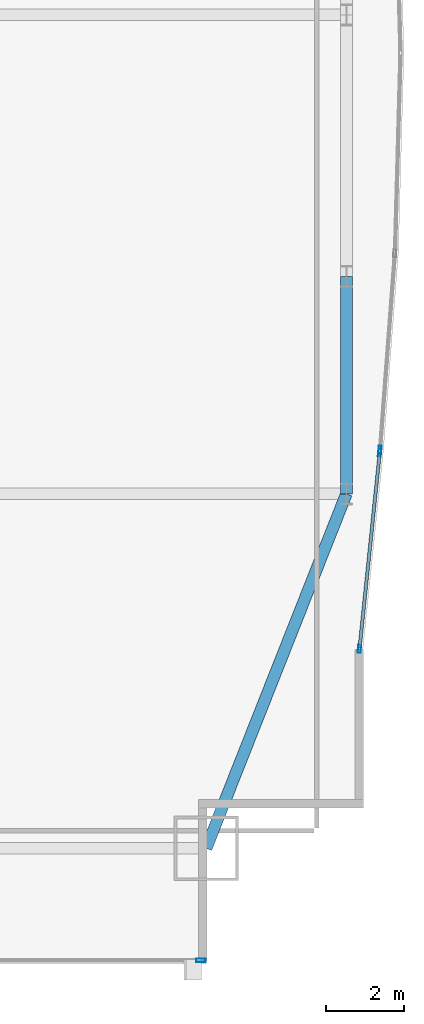
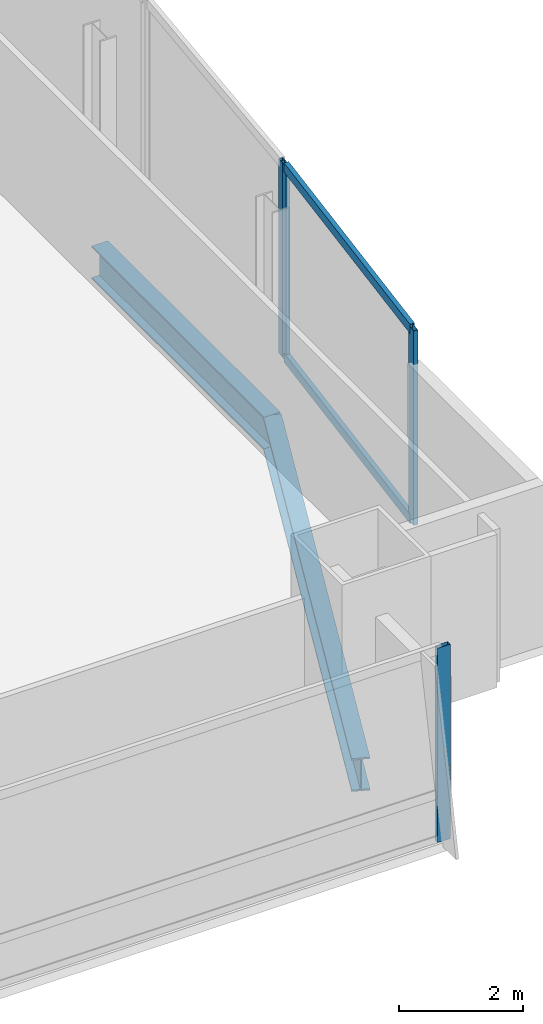
# One storey, part 21 of 32: 6 members, 2 beams, 3 elements without a shape of their own.
"""IFC4 building model written with IfcOpenShell, lengths in metres."""

from ifc_helpers import new_model, si_unit, direction, frame, origin, origin_2d, place, context, subcontext, project, spatial, hollow_rectangle, i_section, extrude, material, material_profile, profile_set, type_object, element, aggregate, save


model = new_model("IFC4")

# Units and contexts
model_context = context("Model", 3, precision=1e-05, world=origin(), true_north=direction((0.0, 1.0)))
body_context = subcontext(model_context, "Body", "Model", "MODEL_VIEW")
ifc_project = project(units=[si_unit("LENGTHUNIT", "METRE"), si_unit("AREAUNIT", "SQUARE_METRE"), si_unit("VOLUMEUNIT", "CUBIC_METRE"), si_unit("PLANEANGLEUNIT", "RADIAN"), si_unit("MASSUNIT", "GRAM", prefix="KILO")], contexts=[model_context])

# Site, building, storey
site_placement = place(None, origin())
site = spatial("IfcSite", under=ifc_project, at=site_placement, CompositionType="ELEMENT")
building_placement = place(site_placement, origin())
building = spatial("IfcBuilding", under=site, at=building_placement, Name="Khoronbel Lancet Exchange", CompositionType="ELEMENT")
storey_placement = place(building_placement, frame((0.0, 0.0, 29.800048828125)))
storey = spatial("IfcBuildingStorey", under=building, at=storey_placement, Name="L06", CompositionType="ELEMENT", Elevation=29.800048828125)

# Beams
ifc_material_1 = material(Name="Steel S355", Category="steel")
ifc_material_profile_1 = material_profile(ifc_material_1, i_section(OverallWidth=0.300048828125, OverallDepth=0.64990234375, WebThickness=0.01611328125, FlangeThickness=0.031005859375, at=origin_2d()), Name="HEB 650")
ifc_profile_set_1 = profile_set([ifc_material_profile_1], Name="Steel S355")
beam_type = type_object("IfcBeamType", Name="BM-BSP1", PredefinedType="SPANDREL", material=ifc_profile_set_1)
beam_1_placement = place(storey_placement, frame((68.050048828125, 10.14990234375, -0.505126953125), z_axis=(0.367828403855, 0.929893684954, 0.0), x_axis=(-0.929893684954, 0.367828403855, 0.0)))
element("IfcBeam", 1, at=beam_1_placement, inside=storey, type_object=beam_type, Name="Level L06 perimeter spandrel beam SP10", PredefinedType="SPANDREL", context=body_context, shape_type="SweptSolid", body=[
    extrude(i_section(OverallWidth=0.300048828125, OverallDepth=0.64990234375, WebThickness=0.01611328125, FlangeThickness=0.031005859375, at=origin_2d()), origin(), (0.0, 0.0, 1.0), 9.732421875),
])
beam_2_placement = place(storey_placement, frame((71.6298828125, 19.199951171875, -0.505126953125), z_axis=(0.0, 1.0, 0.0), x_axis=(-1.0, 0.0, 0.0)))
element("IfcBeam", 2, at=beam_2_placement, inside=storey, type_object=beam_type, Name="Level L06 perimeter spandrel beam SP11", PredefinedType="SPANDREL", context=body_context, shape_type="SweptSolid", body=[
    extrude(i_section(OverallWidth=0.300048828125, OverallDepth=0.64990234375, WebThickness=0.01611328125, FlangeThickness=0.031005859375, at=origin_2d()), origin(), (0.0, 0.0, 1.0), 5.550048828125),
])

# Curtain wall, member
ifc_material_2 = material(Name="Low-E Solar Control Insulating Glass", Category="glass")
curtain_wall_type_1 = type_object("IfcCurtainWallType", Name="CW-1", PredefinedType="NOTDEFINED", material=ifc_material_2)
curtain_wall_1_placement = place(storey_placement, origin())
curtain_wall_1 = element("IfcCurtainWall", 3, at=curtain_wall_1_placement, inside=storey, type_object=curtain_wall_type_1, Name="Unitised curtain wall CW-L06-SEV", PredefinedType="NOTDEFINED")
ifc_material_3 = material(Name="Bronze-Anodised Aluminium 6063-T6", Category="aluminium")
ifc_material_profile_2 = material_profile(ifc_material_3, hollow_rectangle(XDim=0.0849609375, YDim=0.239990234375, WallThickness=0.006103515625, at=origin_2d()), Name="ALU MULLION 85x240")
ifc_profile_set_2 = profile_set([ifc_material_profile_2], Name="Bronze-Anodised Aluminium 6063-T6")
member_type_1 = type_object("IfcMemberType", Name="MEM-CWM1", PredefinedType="MULLION", material=ifc_profile_set_2)
member_1_placement = place(storey_placement, frame((67.91748046875, 7.2900390625, 0.0), z_axis=(0.0, 0.0, 1.0), x_axis=(0.0, 1.0, 0.0)))
member_1 = element("IfcMember", 4, at=member_1_placement, type_object=member_type_1, Name="CW1 mullion 2", PredefinedType="MULLION", context=body_context, shape_type="SweptSolid", body=[
    extrude(hollow_rectangle(XDim=0.0849609375, YDim=0.239990234375, WallThickness=0.006103515625, at=origin_2d()), origin(), (0.0, 0.0, 1.0), 3.820068359375),
])
aggregate(curtain_wall_1, [member_1])

curtain_wall_type_2 = type_object("IfcCurtainWallType", Name="CW-4", PredefinedType="NOTDEFINED", material=ifc_material_2)
curtain_wall_2_placement = place(storey_placement, origin())
curtain_wall_2 = element("IfcCurtainWall", 5, at=curtain_wall_2_placement, inside=storey, type_object=curtain_wall_type_2, Name="Unitised curtain wall CW-L06-E21", PredefinedType="NOTDEFINED")
ifc_material_profile_3 = material_profile(ifc_material_3, hollow_rectangle(XDim=0.074951171875, YDim=0.199951171875, WallThickness=0.0048828125, at=origin_2d()), Name="ALU MULLION 75x200")
ifc_profile_set_3 = profile_set([ifc_material_profile_3], Name="Bronze-Anodised Aluminium 6063-T6")
member_type_2 = type_object("IfcMemberType", Name="MEM-CWM2", PredefinedType="MULLION", material=ifc_profile_set_3)
member_2_placement = place(storey_placement, frame((72.488037109375, 20.32861328125, 0.0), z_axis=(0.0, 0.0, 1.0), x_axis=(0.997153744129, -0.075395030141, 0.0)))
member_2 = element("IfcMember", 6, at=member_2_placement, type_object=member_type_2, Name="CW4 mullion 2", PredefinedType="MULLION", context=body_context, shape_type="SweptSolid", body=[
    extrude(hollow_rectangle(XDim=0.074951171875, YDim=0.199951171875, WallThickness=0.0048828125, at=origin_2d()), origin(), (0.0, 0.0, 1.0), 3.820068359375),
])
aggregate(curtain_wall_2, [member_2])

# Curtain wall, members
curtain_wall_3_placement = place(storey_placement, origin())
curtain_wall_3 = element("IfcCurtainWall", 7, at=curtain_wall_3_placement, inside=storey, type_object=curtain_wall_type_2, Name="Unitised curtain wall CW-L06-E22", PredefinedType="NOTDEFINED")
member_3_placement = place(storey_placement, frame((72.4814453125, 20.25390625, 0.0), z_axis=(0.0, 0.0, 1.0), x_axis=(0.994709998998, -0.102723015403, 0.0)))
member_3 = element("IfcMember", 8, at=member_3_placement, type_object=member_type_2, Name="CW4 mullion 1", PredefinedType="MULLION", context=body_context, shape_type="SweptSolid", body=[
    extrude(hollow_rectangle(XDim=0.074951171875, YDim=0.199951171875, WallThickness=0.0048828125, at=origin_2d()), origin(), (0.0, 0.0, 1.0), 3.820068359375),
])
member_4_placement = place(storey_placement, frame((71.9638671875, 15.241943359375, 0.0), z_axis=(0.0, 0.0, 1.0), x_axis=(0.994709998998, -0.102723015403, 0.0)))
member_4 = element("IfcMember", 9, at=member_4_placement, type_object=member_type_2, Name="CW4 mullion 2", PredefinedType="MULLION", context=body_context, shape_type="SweptSolid", body=[
    extrude(hollow_rectangle(XDim=0.074951171875, YDim=0.199951171875, WallThickness=0.0048828125, at=origin_2d()), origin(), (0.0, 0.0, 1.0), 3.820068359375),
])
ifc_material_profile_4 = material_profile(ifc_material_3, hollow_rectangle(XDim=0.0849609375, YDim=0.179931640625, WallThickness=0.0048828125, at=origin_2d()), Name="ALU TRANSOM 85x180")
ifc_profile_set_4 = profile_set([ifc_material_profile_4], Name="Bronze-Anodised Aluminium 6063-T6")
member_type_3 = type_object("IfcMemberType", Name="MEM-CWT1", PredefinedType="USERDEFINED", material=ifc_profile_set_4)
member_5_placement = place(storey_placement, frame((72.4775390625, 20.216796875, 0.04248046875), z_axis=(-0.102697780779, -0.994712604637, 0.0), x_axis=(0.994712604637, -0.102697780779, 0.0)))
member_5 = element("IfcMember", 10, at=member_5_placement, type_object=member_type_3, Name="CW4 transom 1.1", ObjectType="TRANSOM", PredefinedType="USERDEFINED", context=body_context, shape_type="SweptSolid", body=[
    extrude(hollow_rectangle(XDim=0.0849609375, YDim=0.179931640625, WallThickness=0.0048828125, at=origin_2d()), origin(), (0.0, 0.0, 1.0), 4.9638671875),
])
member_6_placement = place(storey_placement, frame((72.4775390625, 20.216796875, 3.77734375), z_axis=(-0.102697780779, -0.994712604637, 0.0), x_axis=(0.994712604637, -0.102697780779, 0.0)))
member_6 = element("IfcMember", 11, at=member_6_placement, type_object=member_type_3, Name="CW4 transom 1.2", ObjectType="TRANSOM", PredefinedType="USERDEFINED", context=body_context, shape_type="SweptSolid", body=[
    extrude(hollow_rectangle(XDim=0.0849609375, YDim=0.179931640625, WallThickness=0.0048828125, at=origin_2d()), origin(), (0.0, 0.0, 1.0), 4.9638671875),
])
aggregate(curtain_wall_3, [member_3, member_4, member_5, member_6])

save(model, "model.ifc")
